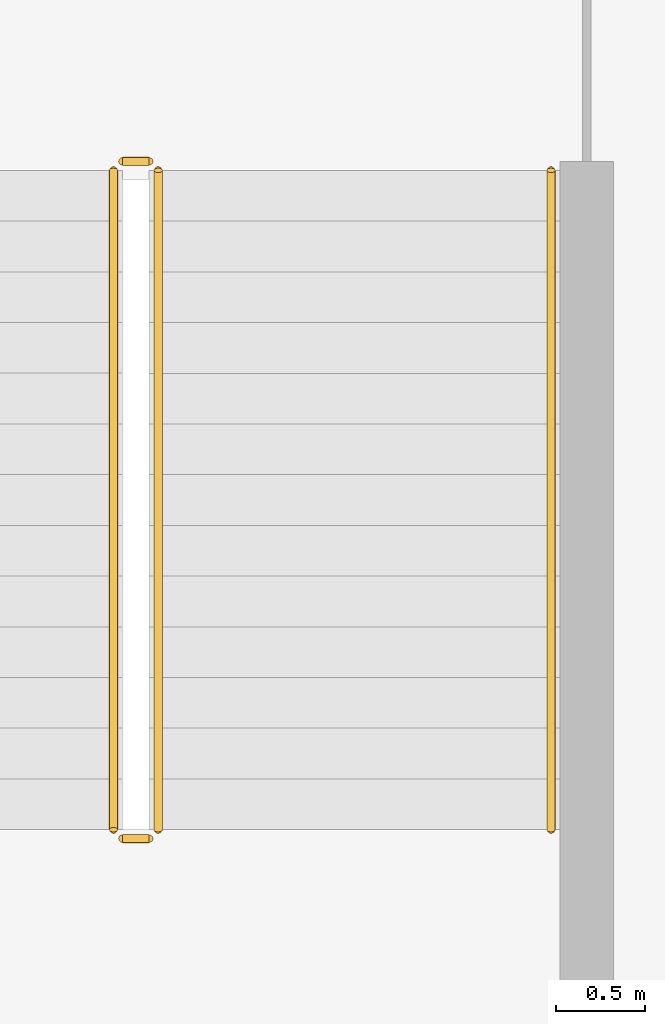
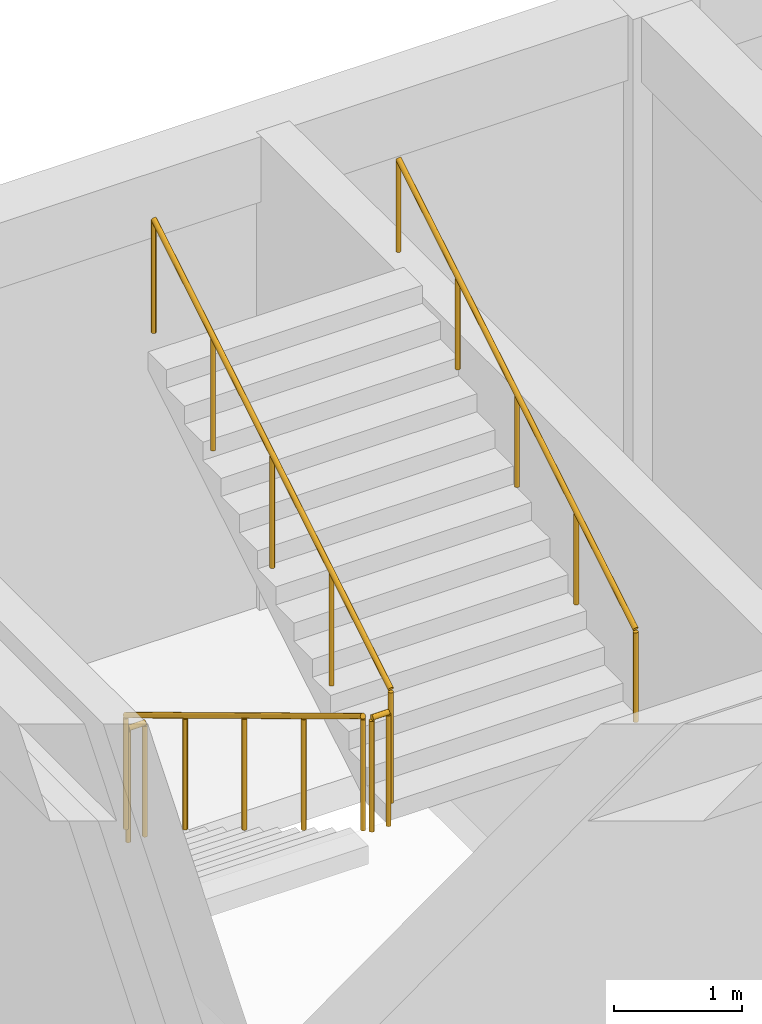
# One storey, part 24 of 26: 5 railings.
"""IFC4 building model written with IfcOpenShell, lengths in metres."""

import ifcopenshell
import ifcopenshell.guid

model = None  # the IFC model being written
_history = None  # IfcOwnerHistory: only IFC2X3 demands one
_inside = {}  # id of a spatial element -> (the spatial element, [elements in it])
_under = {}  # id of a project, library or spatial element -> (it, [spatial elements below it])
_declared = {}  # id of a project -> (the project, [libraries it declares])
_typed = {}  # id of a type object -> (the type object, [elements of that type])
_made_of = {}  # id of a material, layer set ... -> (it, [elements and type objects made of it])


def new_model(schema):
    """Start an empty IFC model of exactly this schema.

    Asked for "IFC4X3", IfcOpenShell would pick the latest addendum, in which some entities
    have other attributes; the version numbers below select the first issue.
    IFC2X3 requires an IfcOwnerHistory on every rooted entity: one is made here for all.
    """
    global model, _history
    if schema == "IFC4X3":
        model = ifcopenshell.file(schema_version=(4, 3, 0, 0))
    else:
        model = ifcopenshell.file(schema=schema)
    _inside.clear()
    _under.clear()
    _declared.clear()
    _typed.clear()
    _made_of.clear()
    _history = None
    if model.schema == "IFC2X3":
        org = make("IfcOrganization", Name="unknown")
        user = make(
            "IfcPersonAndOrganization",
            ThePerson=make("IfcPerson", FamilyName="unknown"),
            TheOrganization=org,
        )
        app = make(
            "IfcApplication",
            ApplicationDeveloper=org,
            Version="unknown",
            ApplicationFullName="unknown",
            ApplicationIdentifier="unknown",
        )
        _history = make(
            "IfcOwnerHistory",
            OwningUser=user,
            OwningApplication=app,
            ChangeAction="ADDED",
            CreationDate=0,
        )
    return model


def make(cls, **values):
    """One entity of the class cls with the attributes given. An attribute that is None is left unset."""
    return model.create_entity(
        cls, **{name: value for name, value in values.items() if value is not None}
    )


def rooted(cls, **values):
    """An entity with a GlobalId (a new one), such as an element, a storey or a relation."""
    return make(cls, GlobalId=ifcopenshell.guid.new(), OwnerHistory=_history, **values)


def si_unit(unit_type, name, prefix=None):
    """IfcSIUnit, for example si_unit("LENGTHUNIT", "METRE", prefix="MILLI")."""
    return make("IfcSIUnit", UnitType=unit_type, Prefix=prefix, Name=name)


def assignment(units):
    """IfcUnitAssignment: the units of a project."""
    return None if units is None else make("IfcUnitAssignment", Units=units)


def point(xyz):
    """IfcCartesianPoint."""
    return None if xyz is None else make("IfcCartesianPoint", Coordinates=xyz)


def direction(xyz):
    """IfcDirection."""
    return None if xyz is None else make("IfcDirection", DirectionRatios=xyz)


def frame(location, z_axis=None, x_axis=None):
    """IfcAxis2Placement3D, a coordinate frame: its origin and axes. An axis left out is left unset."""
    return make(
        "IfcAxis2Placement3D",
        Location=point(location),
        Axis=direction(z_axis),
        RefDirection=direction(x_axis),
    )


def frame_2d(location, x_axis=None):
    """IfcAxis2Placement2D, a coordinate frame in the plane: its origin and x axis."""
    return make(
        "IfcAxis2Placement2D", Location=point(location), RefDirection=direction(x_axis)
    )


def origin():
    """The frame at (0, 0, 0) with its axes left unset."""
    return frame((0.0, 0.0, 0.0))


def origin_2d():
    """The frame at (0, 0) in the plane with its x axis left unset."""
    return frame_2d((0.0, 0.0))


def place(relative_to, where):
    """IfcLocalPlacement: puts the frame where relative to a parent placement (None: the world)."""
    return make(
        "IfcLocalPlacement", PlacementRelTo=relative_to, RelativePlacement=where
    )


def context(
    kind, dimensions, precision=None, world=None, true_north=None, identifier=None
):
    """IfcGeometricRepresentationContext, for example the 3D "Model" context."""
    return make(
        "IfcGeometricRepresentationContext",
        ContextIdentifier=identifier,
        ContextType=kind,
        CoordinateSpaceDimension=dimensions,
        Precision=precision,
        WorldCoordinateSystem=world,
        TrueNorth=true_north,
    )


def subcontext(parent, identifier, kind, view, scale=None):
    """IfcGeometricRepresentationSubContext, for example "Body" below "Model"."""
    return make(
        "IfcGeometricRepresentationSubContext",
        ContextIdentifier=identifier,
        ContextType=kind,
        ParentContext=parent,
        TargetScale=scale,
        TargetView=view,
    )


def project(units=None, contexts=None):
    """IfcProject with its units and contexts."""
    return rooted(
        "IfcProject",
        Name="project",
        RepresentationContexts=contexts,
        UnitsInContext=assignment(units),
    )


def spatial(cls, under=None, at=None, **own):
    """A site, building, storey or space (cls), placed at a placement, below another one or the project."""
    s = rooted(cls, ObjectPlacement=at, **own)
    if under is not None:
        _under.setdefault(under.id(), (under, []))[1].append(s)
    return s


def profile(cls, at=None, kind="AREA", **sizes):
    """A parametric profile (cls). Its sizes go by their IFC names, for example OverallWidth=200.0."""
    return make(cls, ProfileType=kind, Position=at, **sizes)


def circle(**sizes):
    """IfcCircleProfileDef."""
    return profile("IfcCircleProfileDef", **sizes)


def extrude(swept, where, along, depth):
    """IfcExtrudedAreaSolid: the profile swept, set in the frame where, extruded along a direction by depth."""
    return make(
        "IfcExtrudedAreaSolid",
        SweptArea=swept,
        Position=where,
        ExtrudedDirection=direction(along),
        Depth=depth,
    )


def shape(context_of_items, identifier, shape_type, items):
    """IfcShapeRepresentation: the items that make up one representation, for example the "Body"."""
    return make(
        "IfcShapeRepresentation",
        ContextOfItems=context_of_items,
        RepresentationIdentifier=identifier,
        RepresentationType=shape_type,
        Items=items,
    )


def material(Name=None, Category=None):
    """IfcMaterial."""
    return make("IfcMaterial", Name=Name, Category=Category)


def made_of(thing, what):
    """Note that an element or type object is made of a material, layer set ...; save() writes the relation."""
    if what is not None:
        _made_of.setdefault(what.id(), (what, []))[1].append(thing)
    return thing


def type_object(cls, material=None, **own):
    """A type object (cls), such as IfcWallType, which elements share."""
    return made_of(rooted(cls, **own), material)


def element(
    cls,
    number,
    at=None,
    inside=None,
    cuts=None,
    type_object=None,
    material=None,
    context=None,
    identifier="Body",
    shape_type=None,
    held_by="IfcProductDefinitionShape",
    body=None,
    shapes=None,
    **own,
):
    """One element of the class cls, such as IfcWall. Its Tag is "e" and its number.

    at: its placement. inside: the storey or other place that contains it. cuts: it is an
    opening in that element (IfcRelVoidsElement). A single representation is given by context,
    identifier, shape_type and body (its items); several are given by shapes. held_by: the class
    of the entity that holds the representations. save() writes the other relations.
    """
    e = rooted(cls, Tag="e%d" % number, ObjectPlacement=at, **own)
    if body is not None:
        shapes = [shape(context, identifier, shape_type, body)]
    if shapes is not None:
        e.Representation = make(held_by, Representations=shapes)
    if inside is not None:
        _inside.setdefault(inside.id(), (inside, []))[1].append(e)
    if cuts is not None:
        rooted(
            "IfcRelVoidsElement", RelatingBuildingElement=cuts, RelatedOpeningElement=e
        )
    if type_object is not None:
        _typed.setdefault(type_object.id(), (type_object, []))[1].append(e)
    return made_of(e, material)


def aggregate(whole, parts):
    """IfcRelAggregates: a whole, such as a stair, and the parts it consists of."""
    return rooted("IfcRelAggregates", RelatingObject=whole, RelatedObjects=parts)


def save(model, path):
    """Write the relations noted so far, then the file.

    IfcRelAggregates (storeys below a building ...), IfcRelContainedInSpatialStructure (elements
    in a storey), IfcRelDefinesByType, IfcRelAssociatesMaterial and IfcRelDeclares: one each for
    every whole, place, type object, material and project.
    """
    for whole, parts in _under.values():
        aggregate(whole, parts)
    for where, things in _inside.values():
        rooted(
            "IfcRelContainedInSpatialStructure",
            RelatedElements=things,
            RelatingStructure=where,
        )
    for kind, things in _typed.values():
        rooted("IfcRelDefinesByType", RelatedObjects=things, RelatingType=kind)
    for what, things in _made_of.values():
        rooted("IfcRelAssociatesMaterial", RelatedObjects=things, RelatingMaterial=what)
    for by, libraries in _declared.values():
        rooted("IfcRelDeclares", RelatingContext=by, RelatedDefinitions=libraries)
    model.write(path)


model = new_model("IFC4")

# Units and contexts
model_context = context("Model", 3, precision=1e-05, world=origin(), true_north=direction((0.0, 1.0)))
body_context = subcontext(model_context, "Body", "Model", "MODEL_VIEW")
ifc_project = project(units=[si_unit("LENGTHUNIT", "METRE"), si_unit("AREAUNIT", "SQUARE_METRE"), si_unit("VOLUMEUNIT", "CUBIC_METRE"), si_unit("PLANEANGLEUNIT", "RADIAN"), si_unit("MASSUNIT", "GRAM", prefix="KILO")], contexts=[model_context])

# Site, building, storey
site_placement = place(None, origin())
site = spatial("IfcSite", under=ifc_project, at=site_placement, CompositionType="ELEMENT")
building_placement = place(site_placement, origin())
building = spatial("IfcBuilding", under=site, at=building_placement, Name="Dhurran Vertical Campus", CompositionType="ELEMENT")
storey_placement = place(building_placement, frame((0.0, 0.0, 15.60009765625)))
storey = spatial("IfcBuildingStorey", under=building, at=storey_placement, Name="L03", CompositionType="ELEMENT", Elevation=15.60009765625)

# Railings
ifc_material_1 = material(Name="Steel S355J2H", Category="steel")
railing_type_1 = type_object("IfcRailingType", Name="hl-stair guard 1100", PredefinedType="GUARDRAIL", material=ifc_material_1)
railing_1_placement = place(storey_placement, frame((73.39990234375, 24.550048828125, 0.17138671875)))
element("IfcRailing", 1, at=railing_1_placement, inside=storey, type_object=railing_type_1, Name="L03 HST3 stair guard 1", PredefinedType="GUARDRAIL", context=body_context, shape_type="SweptSolid", body=[
    extrude(circle(Radius=0.02392578125, at=origin_2d()), frame((0.0, 0.0, 1.076171875), z_axis=(0.0, -0.85613627591, 0.516750110858), x_axis=(1.0, 0.0, 0.0)), (0.0, 0.0, 1.0), 4.3125),
    extrude(circle(Radius=0.02099609375, at=origin_2d()), origin(), (0.0, 0.0, 1.0), 1.052001953125),
    extrude(circle(Radius=0.02099609375, at=origin_2d()), frame((0.0, -0.923095703125, 0.55712890625)), (0.0, 0.0, 1.0), 1.052001953125),
    extrude(circle(Radius=0.02099609375, at=origin_2d()), frame((0.0, -1.84619140625, 1.1142578125)), (0.0, 0.0, 1.0), 1.052001953125),
    extrude(circle(Radius=0.02099609375, at=origin_2d()), frame((0.0, -2.76904296875, 1.67138671875)), (0.0, 0.0, 1.0), 1.052001953125),
    extrude(circle(Radius=0.02099609375, at=origin_2d()), frame((0.0, -3.692138671875, 2.228515625)), (0.0, 0.0, 1.0), 1.052001953125),
])
railing_2_placement = place(storey_placement, frame((73.449951171875, 20.80810546875, 2.39990234375)))
element("IfcRailing", 2, at=railing_2_placement, inside=storey, type_object=railing_type_1, Name="L03 HST3 stair guard 2", PredefinedType="GUARDRAIL", context=body_context, shape_type="SweptSolid", body=[
    extrude(circle(Radius=0.02392578125, at=origin_2d()), frame((0.0, 0.0, 1.076171875), z_axis=(1.0, 0.0, 0.0), x_axis=(0.0, 1.0, 0.0)), (0.0, 0.0, 1.0), 0.150146484375),
    extrude(circle(Radius=0.02099609375, at=origin_2d()), origin(), (0.0, 0.0, 1.0), 1.052001953125),
    extrude(circle(Radius=0.02099609375, at=origin_2d()), frame((0.150146484375, 0.0, 0.0)), (0.0, 0.0, 1.0), 1.052001953125),
])
railing_3_placement = place(storey_placement, frame((73.64990234375, 20.85791015625, 2.5712890625)))
element("IfcRailing", 3, at=railing_3_placement, inside=storey, type_object=railing_type_1, Name="L03 HST3 stair guard 3", PredefinedType="GUARDRAIL", context=body_context, shape_type="SweptSolid", body=[
    extrude(circle(Radius=0.02392578125, at=origin_2d()), frame((0.0, 0.0, 1.076171875), z_axis=(0.0, 0.85613627591, 0.516750110858), x_axis=(-1.0, 0.0, 0.0)), (0.0, 0.0, 1.0), 4.3125),
    extrude(circle(Radius=0.02099609375, at=origin_2d()), origin(), (0.0, 0.0, 1.0), 1.052001953125),
    extrude(circle(Radius=0.02099609375, at=origin_2d()), frame((0.0, 0.923095703125, 0.55712890625)), (0.0, 0.0, 1.0), 1.052001953125),
    extrude(circle(Radius=0.02099609375, at=origin_2d()), frame((0.0, 1.84619140625, 1.1142578125)), (0.0, 0.0, 1.0), 1.052001953125),
    extrude(circle(Radius=0.02099609375, at=origin_2d()), frame((0.0, 2.76904296875, 1.67138671875)), (0.0, 0.0, 1.0), 1.052001953125),
    extrude(circle(Radius=0.02099609375, at=origin_2d()), frame((0.0, 3.692138671875, 2.228515625)), (0.0, 0.0, 1.0), 1.052001953125),
])
railing_4_placement = place(storey_placement, frame((73.449951171875, 24.60009765625, 0.0)))
element("IfcRailing", 4, at=railing_4_placement, inside=storey, type_object=railing_type_1, Name="L03 HST3 stair guard 4", PredefinedType="GUARDRAIL", context=body_context, shape_type="SweptSolid", body=[
    extrude(circle(Radius=0.02392578125, at=origin_2d()), frame((0.0, 0.0, 1.076171875), z_axis=(1.0, 0.0, 0.0), x_axis=(0.0, 1.0, 0.0)), (0.0, 0.0, 1.0), 0.150146484375),
    extrude(circle(Radius=0.02099609375, at=origin_2d()), origin(), (0.0, 0.0, 1.0), 1.052001953125),
    extrude(circle(Radius=0.02099609375, at=origin_2d()), frame((0.150146484375, 0.0, 0.0)), (0.0, 0.0, 1.0), 1.052001953125),
])
ifc_material_2 = material(Name="Steel S355J2H", Category="steel")
railing_type_2 = type_object("IfcRailingType", Name="hl-stair handrail", PredefinedType="HANDRAIL", material=ifc_material_2)
railing_5_placement = place(storey_placement, frame((75.85009765625, 20.85791015625, 2.5712890625)))
element("IfcRailing", 5, at=railing_5_placement, inside=storey, type_object=railing_type_2, Name="L03 HST3 stair handrail 2", PredefinedType="HANDRAIL", context=body_context, shape_type="SweptSolid", body=[
    extrude(circle(Radius=0.02392578125, at=origin_2d()), frame((0.0, 0.0, 0.8759765625), z_axis=(0.0, 0.85613627591, 0.516750110858), x_axis=(-1.0, 0.0, 0.0)), (0.0, 0.0, 1.0), 4.3125),
    extrude(circle(Radius=0.02099609375, at=origin_2d()), origin(), (0.0, 0.0, 1.0), 0.851806640625),
    extrude(circle(Radius=0.02099609375, at=origin_2d()), frame((0.0, 0.923095703125, 0.55712890625)), (0.0, 0.0, 1.0), 0.851806640625),
    extrude(circle(Radius=0.02099609375, at=origin_2d()), frame((0.0, 1.84619140625, 1.1142578125)), (0.0, 0.0, 1.0), 0.851806640625),
    extrude(circle(Radius=0.02099609375, at=origin_2d()), frame((0.0, 2.76904296875, 1.67138671875)), (0.0, 0.0, 1.0), 0.851806640625),
    extrude(circle(Radius=0.02099609375, at=origin_2d()), frame((0.0, 3.692138671875, 2.228515625)), (0.0, 0.0, 1.0), 0.851806640625),
])

save(model, "model.ifc")
